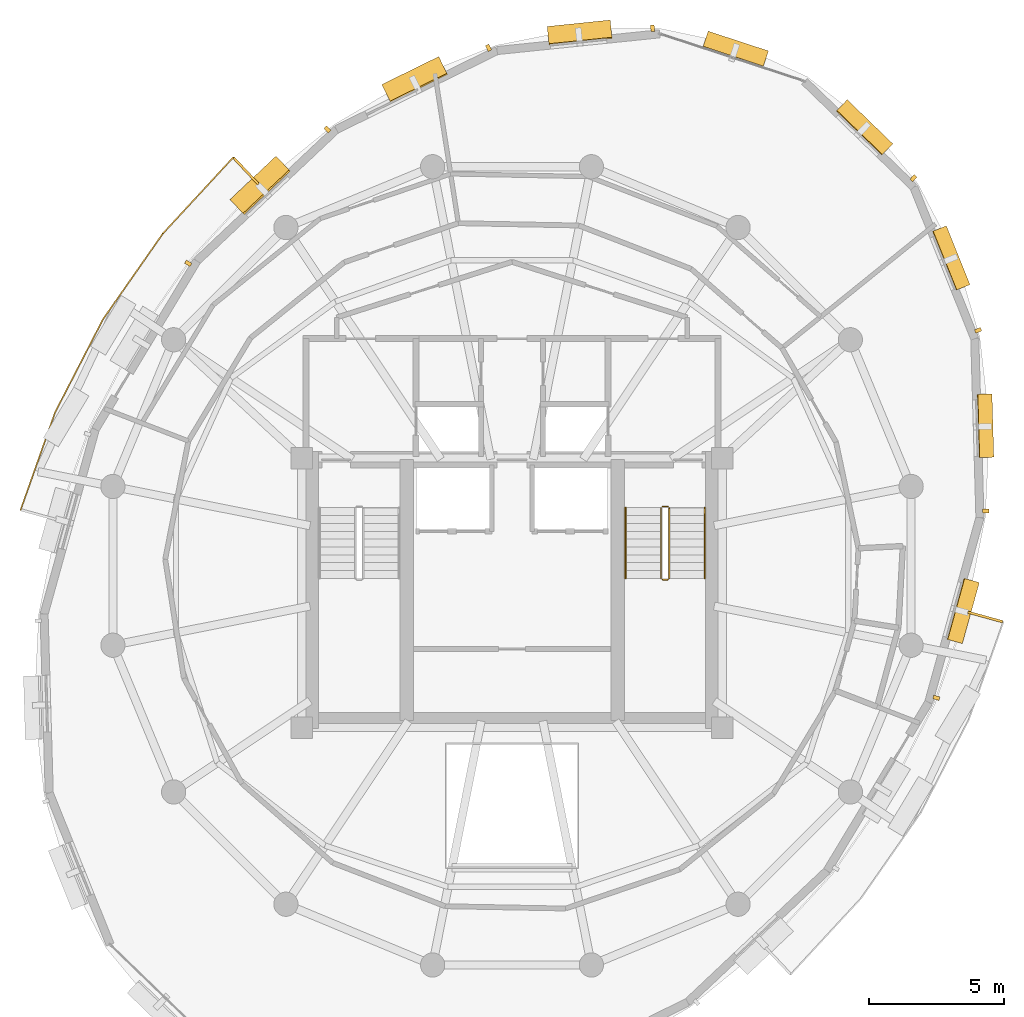
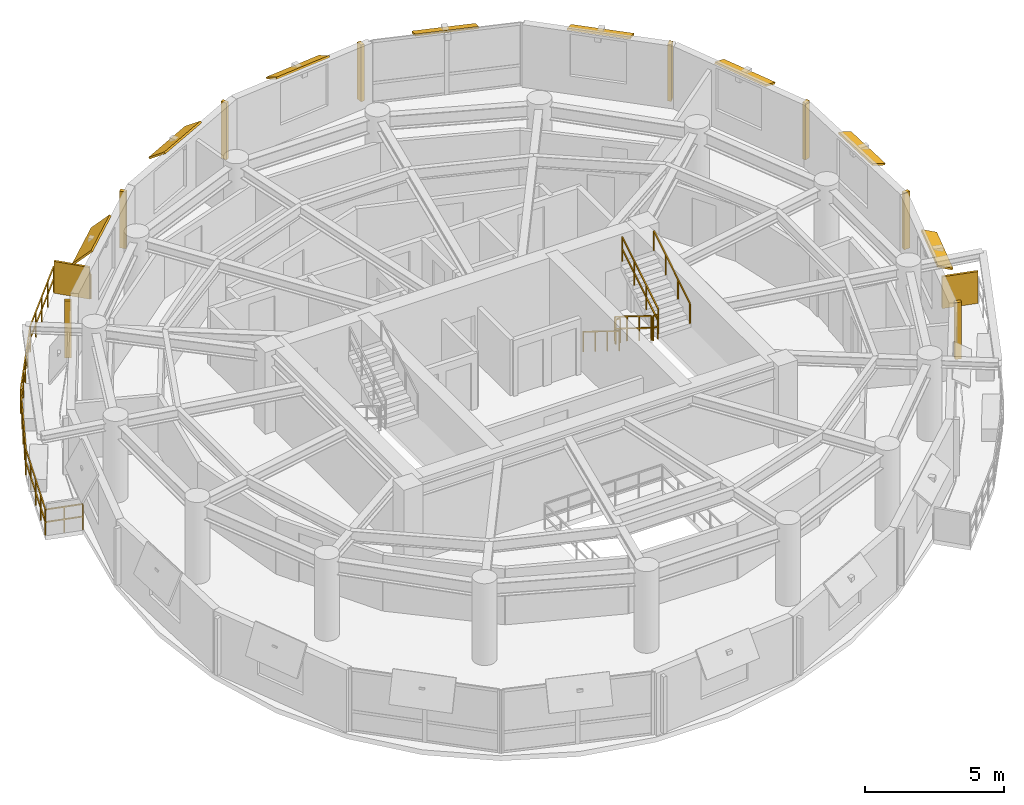
# One storey, part 11 of 11: 18 shading devices, 7 railings.
"""IFC4 building model written with IfcOpenShell, lengths in metres."""

from ifc_helpers import new_model, si_unit, direction, frame, origin, origin_2d, place, context, subcontext, project, spatial, rectangle, extrude, material, layer, layer_set, type_object, element, save


model = new_model("IFC4")

# Units and contexts
model_context = context("Model", 3, precision=1e-05, world=origin(), true_north=direction((0.0, 1.0)))
body_context = subcontext(model_context, "Body", "Model", "MODEL_VIEW")
ifc_project = project(units=[si_unit("LENGTHUNIT", "METRE"), si_unit("AREAUNIT", "SQUARE_METRE"), si_unit("VOLUMEUNIT", "CUBIC_METRE"), si_unit("PLANEANGLEUNIT", "RADIAN"), si_unit("MASSUNIT", "GRAM", prefix="KILO"), si_unit("THERMODYNAMICTEMPERATUREUNIT", "KELVIN"), si_unit("POWERUNIT", "WATT")], contexts=[model_context])

# Site, building, storey
site_placement = place(None, origin())
site = spatial("IfcSite", under=ifc_project, at=site_placement, CompositionType="ELEMENT")
building_placement = place(site_placement, origin())
building = spatial("IfcBuilding", under=site, at=building_placement, Name="Ocrelia Relay Tower", CompositionType="ELEMENT")
storey_placement = place(building_placement, frame((0.0, 0.0, 273.60009765625)))
storey = spatial("IfcBuildingStorey", under=building, at=storey_placement, Name="L68", CompositionType="ELEMENT", Elevation=273.60009765625)

# Railings
ifc_material_1 = material(Name="Steel S355 balustrade", Category="steel")
railing_type_1 = type_object("IfcRailingType", Name="RL-EXT-GUARD-1150", PredefinedType="GUARDRAIL", material=ifc_material_1)
railing_1_placement = place(storey_placement, frame((17.1103515625, 27.711181640625, 0.0)))
element("IfcRailing", 1, at=railing_1_placement, inside=storey, type_object=railing_type_1, Name="L68 Loggia Balcony Guard Rail B1", PredefinedType="GUARDRAIL", context=body_context, shape_type="SweptSolid", body=[
    extrude(rectangle(XDim=0.048095703125, YDim=0.048095703125, at=origin_2d()), frame((0.0, 0.0, 1.1259765625), z_axis=(-0.964028233206, 0.26579986001, 0.0), x_axis=(-0.26579986001, -0.964028233206, 0.0)), (0.0, 0.0, 1.0), 1.393310546875),
    extrude(rectangle(XDim=0.048095703125, YDim=0.048095703125, at=origin_2d()), frame((0.0, 0.0, 0.574951171875), z_axis=(-0.964028233206, 0.26579986001, 0.0), x_axis=(-0.26579986001, -0.964028233206, 0.0)), (0.0, 0.0, 1.0), 1.393310546875),
    extrude(rectangle(XDim=0.048095703125, YDim=0.048095703125, at=origin_2d()), frame((-1.34326171875, 0.370361328125, 1.1259765625), z_axis=(0.333032874835, 0.942915215849, 0.0), x_axis=(-0.942915215849, 0.333032874835, 0.0)), (0.0, 0.0, 1.0), 1.920654296875),
    extrude(rectangle(XDim=0.048095703125, YDim=0.048095703125, at=origin_2d()), frame((-1.34326171875, 0.370361328125, 0.574951171875), z_axis=(0.333032874835, 0.942915215849, 0.0), x_axis=(-0.942915215849, 0.333032874835, 0.0)), (0.0, 0.0, 1.0), 1.920654296875),
    extrude(rectangle(XDim=0.048095703125, YDim=0.048095703125, at=origin_2d()), frame((-0.70361328125, 2.181396484375, 1.1259765625), z_axis=(0.333145881361, 0.9428752949, 0.0), x_axis=(-0.9428752949, 0.333145881361, 0.0)), (0.0, 0.0, 1.0), 1.920654296875),
    extrude(rectangle(XDim=0.048095703125, YDim=0.048095703125, at=origin_2d()), frame((-0.70361328125, 2.181396484375, 0.574951171875), z_axis=(0.333145881361, 0.9428752949, 0.0), x_axis=(-0.9428752949, 0.333145881361, 0.0)), (0.0, 0.0, 1.0), 1.920654296875),
    extrude(rectangle(XDim=0.048095703125, YDim=0.048095703125, at=origin_2d()), frame((-0.063720703125, 3.992431640625, 1.1259765625), z_axis=(0.457923454182, 0.888991625444, 0.0), x_axis=(-0.888991625444, 0.457923454182, 0.0)), (0.0, 0.0, 1.0), 3.8818359375),
    extrude(rectangle(XDim=0.048095703125, YDim=0.048095703125, at=origin_2d()), frame((-0.063720703125, 3.992431640625, 0.574951171875), z_axis=(0.457923454182, 0.888991625444, 0.0), x_axis=(-0.888991625444, 0.457923454182, 0.0)), (0.0, 0.0, 1.0), 3.8818359375),
    extrude(rectangle(XDim=0.048095703125, YDim=0.048095703125, at=origin_2d()), frame((1.7138671875, 7.443359375, 1.1259765625), z_axis=(0.572824803957, 0.819677829377, 0.0), x_axis=(-0.819677829377, 0.572824803957, 0.0)), (0.0, 0.0, 1.0), 3.8818359375),
    extrude(rectangle(XDim=0.048095703125, YDim=0.048095703125, at=origin_2d()), frame((1.7138671875, 7.443359375, 0.574951171875), z_axis=(0.572824803957, 0.819677829377, 0.0), x_axis=(-0.819677829377, 0.572824803957, 0.0)), (0.0, 0.0, 1.0), 3.8818359375),
    extrude(rectangle(XDim=0.048095703125, YDim=0.048095703125, at=origin_2d()), frame((3.9375, 10.625244140625, 1.1259765625), z_axis=(0.678660063594, 0.734452529496, 0.0), x_axis=(-0.734452529496, 0.678660063594, 0.0)), (0.0, 0.0, 1.0), 1.9208984375),
    extrude(rectangle(XDim=0.048095703125, YDim=0.048095703125, at=origin_2d()), frame((3.9375, 10.625244140625, 0.574951171875), z_axis=(0.678660063594, 0.734452529496, 0.0), x_axis=(-0.734452529496, 0.678660063594, 0.0)), (0.0, 0.0, 1.0), 1.9208984375),
    extrude(rectangle(XDim=0.048095703125, YDim=0.048095703125, at=origin_2d()), frame((5.2412109375, 12.0361328125, 1.1259765625), z_axis=(0.678718216733, 0.734398789674, 0.0), x_axis=(-0.734398789674, 0.678718216733, 0.0)), (0.0, 0.0, 1.0), 1.92041015625),
    extrude(rectangle(XDim=0.048095703125, YDim=0.048095703125, at=origin_2d()), frame((5.2412109375, 12.0361328125, 0.574951171875), z_axis=(0.678718216733, 0.734398789674, 0.0), x_axis=(-0.734398789674, 0.678718216733, 0.0)), (0.0, 0.0, 1.0), 1.92041015625),
    extrude(rectangle(XDim=0.048095703125, YDim=0.048095703125, at=origin_2d()), frame((6.544677734375, 13.446533203125, 1.1259765625), z_axis=(0.684867220782, -0.728667887243, 0.0), x_axis=(0.728667887243, 0.684867220782, 0.0)), (0.0, 0.0, 1.0), 1.3935546875),
    extrude(rectangle(XDim=0.048095703125, YDim=0.048095703125, at=origin_2d()), frame((6.544677734375, 13.446533203125, 0.574951171875), z_axis=(0.684867220782, -0.728667887243, 0.0), x_axis=(0.728667887243, 0.684867220782, 0.0)), (0.0, 0.0, 1.0), 1.3935546875),
    extrude(rectangle(XDim=0.0419921875, YDim=0.0419921875, at=origin_2d()), origin(), (0.0, 0.0, 1.0), 1.101806640625),
    extrude(rectangle(XDim=0.0419921875, YDim=0.0419921875, at=origin_2d()), frame((-0.671630859375, 0.18505859375, 0.0)), (0.0, 0.0, 1.0), 1.101806640625),
    extrude(rectangle(XDim=0.0419921875, YDim=0.0419921875, at=origin_2d()), frame((-1.34326171875, 0.370361328125, 0.0)), (0.0, 0.0, 1.0), 1.101806640625),
    extrude(rectangle(XDim=0.0419921875, YDim=0.0419921875, at=origin_2d()), frame((-1.0234375, 1.27587890625, 0.0)), (0.0, 0.0, 1.0), 1.101806640625),
    extrude(rectangle(XDim=0.0419921875, YDim=0.0419921875, at=origin_2d()), frame((-0.70361328125, 2.181396484375, 0.0)), (0.0, 0.0, 1.0), 1.101806640625),
    extrude(rectangle(XDim=0.0419921875, YDim=0.0419921875, at=origin_2d()), frame((-0.3837890625, 3.0869140625, 0.0)), (0.0, 0.0, 1.0), 1.101806640625),
    extrude(rectangle(XDim=0.0419921875, YDim=0.0419921875, at=origin_2d()), frame((-0.063720703125, 3.992431640625, 0.0)), (0.0, 0.0, 1.0), 1.101806640625),
    extrude(rectangle(XDim=0.0419921875, YDim=0.0419921875, at=origin_2d()), frame((0.380615234375, 4.855224609375, 0.0)), (0.0, 0.0, 1.0), 1.101806640625),
    extrude(rectangle(XDim=0.0419921875, YDim=0.0419921875, at=origin_2d()), frame((0.8251953125, 5.7177734375, 0.0)), (0.0, 0.0, 1.0), 1.101806640625),
    extrude(rectangle(XDim=0.0419921875, YDim=0.0419921875, at=origin_2d()), frame((1.26953125, 6.58056640625, 0.0)), (0.0, 0.0, 1.0), 1.101806640625),
    extrude(rectangle(XDim=0.0419921875, YDim=0.0419921875, at=origin_2d()), frame((1.7138671875, 7.443359375, 0.0)), (0.0, 0.0, 1.0), 1.101806640625),
    extrude(rectangle(XDim=0.0419921875, YDim=0.0419921875, at=origin_2d()), frame((2.269775390625, 8.23876953125, 0.0)), (0.0, 0.0, 1.0), 1.101806640625),
    extrude(rectangle(XDim=0.0419921875, YDim=0.0419921875, at=origin_2d()), frame((2.82568359375, 9.0341796875, 0.0)), (0.0, 0.0, 1.0), 1.101806640625),
    extrude(rectangle(XDim=0.0419921875, YDim=0.0419921875, at=origin_2d()), frame((3.381591796875, 9.829833984375, 0.0)), (0.0, 0.0, 1.0), 1.101806640625),
    extrude(rectangle(XDim=0.0419921875, YDim=0.0419921875, at=origin_2d()), frame((3.9375, 10.625244140625, 0.0)), (0.0, 0.0, 1.0), 1.101806640625),
    extrude(rectangle(XDim=0.0419921875, YDim=0.0419921875, at=origin_2d()), frame((4.58935546875, 11.33056640625, 0.0)), (0.0, 0.0, 1.0), 1.101806640625),
    extrude(rectangle(XDim=0.0419921875, YDim=0.0419921875, at=origin_2d()), frame((5.2412109375, 12.0361328125, 0.0)), (0.0, 0.0, 1.0), 1.101806640625),
    extrude(rectangle(XDim=0.0419921875, YDim=0.0419921875, at=origin_2d()), frame((5.89306640625, 12.7412109375, 0.0)), (0.0, 0.0, 1.0), 1.101806640625),
    extrude(rectangle(XDim=0.0419921875, YDim=0.0419921875, at=origin_2d()), frame((6.544677734375, 13.446533203125, 0.0)), (0.0, 0.0, 1.0), 1.101806640625),
    extrude(rectangle(XDim=0.0419921875, YDim=0.0419921875, at=origin_2d()), frame((7.02197265625, 12.93896484375, 0.0)), (0.0, 0.0, 1.0), 1.101806640625),
    extrude(rectangle(XDim=0.0419921875, YDim=0.0419921875, at=origin_2d()), frame((7.4990234375, 12.43115234375, 0.0)), (0.0, 0.0, 1.0), 1.101806640625),
])
railing_type_2 = type_object("IfcRailingType", Name="RL-STAIR-GUARD", PredefinedType="GUARDRAIL", material=ifc_material_1)
railing_2_placement = place(storey_placement, frame((39.530029296875, 28.14990234375, 0.179931640625)))
element("IfcRailing", 2, at=railing_2_placement, inside=storey, type_object=railing_type_2, Name="L68 ST2 stair guard 1", PredefinedType="GUARDRAIL", context=body_context, shape_type="SweptSolid", body=[
    extrude(rectangle(XDim=0.048095703125, YDim=0.048095703125, at=origin_2d()), frame((0.0, 0.0, 1.076171875), z_axis=(0.0, -0.849646306263, 0.527352969322), x_axis=(1.0, 0.0, 0.0)), (0.0, 0.0, 1.0), 3.07177734375),
    extrude(rectangle(XDim=0.048095703125, YDim=0.048095703125, at=origin_2d()), frame((0.0, 0.0, 0.550048828125), z_axis=(0.0, -0.849646306263, 0.527352969322), x_axis=(1.0, 0.0, 0.0)), (0.0, 0.0, 1.0), 3.07177734375),
    extrude(rectangle(XDim=0.0419921875, YDim=0.0419921875, at=origin_2d()), origin(), (0.0, 0.0, 1.0), 1.052001953125),
    extrude(rectangle(XDim=0.0419921875, YDim=0.0419921875, at=origin_2d()), frame((0.0, -0.869873046875, 0.5400390625)), (0.0, 0.0, 1.0), 1.052001953125),
    extrude(rectangle(XDim=0.0419921875, YDim=0.0419921875, at=origin_2d()), frame((0.0, -1.739990234375, 1.079833984375)), (0.0, 0.0, 1.0), 1.052001953125),
    extrude(rectangle(XDim=0.0419921875, YDim=0.0419921875, at=origin_2d()), frame((0.0, -2.60986328125, 1.619873046875)), (0.0, 0.0, 1.0), 1.052001953125),
])
railing_3_placement = place(storey_placement, frame((39.580078125, 25.489990234375, 1.7998046875)))
element("IfcRailing", 3, at=railing_3_placement, inside=storey, type_object=railing_type_2, Name="L68 ST2 stair guard 2", PredefinedType="GUARDRAIL", context=body_context, shape_type="SweptSolid", body=[
    extrude(rectangle(XDim=0.048095703125, YDim=0.048095703125, at=origin_2d()), frame((0.0, 0.0, 1.076171875), z_axis=(1.0, 0.0, 0.0), x_axis=(0.0, 1.0, 0.0)), (0.0, 0.0, 1.0), 0.199951171875),
    extrude(rectangle(XDim=0.048095703125, YDim=0.048095703125, at=origin_2d()), frame((0.0, 0.0, 0.550048828125), z_axis=(1.0, 0.0, 0.0), x_axis=(0.0, 1.0, 0.0)), (0.0, 0.0, 1.0), 0.199951171875),
    extrude(rectangle(XDim=0.0419921875, YDim=0.0419921875, at=origin_2d()), origin(), (0.0, 0.0, 1.0), 1.052001953125),
    extrude(rectangle(XDim=0.0419921875, YDim=0.0419921875, at=origin_2d()), frame((0.199951171875, 0.0, 0.0)), (0.0, 0.0, 1.0), 1.052001953125),
])
railing_4_placement = place(storey_placement, frame((39.830078125, 25.5400390625, 1.97998046875)))
element("IfcRailing", 4, at=railing_4_placement, inside=storey, type_object=railing_type_2, Name="L68 ST2 stair guard 3", PredefinedType="GUARDRAIL", context=body_context, shape_type="SweptSolid", body=[
    extrude(rectangle(XDim=0.048095703125, YDim=0.048095703125, at=origin_2d()), frame((0.0, 0.0, 1.076171875), z_axis=(0.0, 0.849646306263, 0.527352969322), x_axis=(-1.0, 0.0, 0.0)), (0.0, 0.0, 1.0), 3.07177734375),
    extrude(rectangle(XDim=0.048095703125, YDim=0.048095703125, at=origin_2d()), frame((0.0, 0.0, 0.550048828125), z_axis=(0.0, 0.849646306263, 0.527352969322), x_axis=(-1.0, 0.0, 0.0)), (0.0, 0.0, 1.0), 3.07177734375),
    extrude(rectangle(XDim=0.0419921875, YDim=0.0419921875, at=origin_2d()), origin(), (0.0, 0.0, 1.0), 1.052001953125),
    extrude(rectangle(XDim=0.0419921875, YDim=0.0419921875, at=origin_2d()), frame((0.0, 0.869873046875, 0.5400390625)), (0.0, 0.0, 1.0), 1.052001953125),
    extrude(rectangle(XDim=0.0419921875, YDim=0.0419921875, at=origin_2d()), frame((0.0, 1.739990234375, 1.079833984375)), (0.0, 0.0, 1.0), 1.052001953125),
    extrude(rectangle(XDim=0.0419921875, YDim=0.0419921875, at=origin_2d()), frame((0.0, 2.60986328125, 1.619873046875)), (0.0, 0.0, 1.0), 1.052001953125),
])
railing_5_placement = place(storey_placement, frame((39.580078125, 28.199951171875, 0.0)))
element("IfcRailing", 5, at=railing_5_placement, inside=storey, type_object=railing_type_2, Name="L68 ST2 stair guard 4", PredefinedType="GUARDRAIL", context=body_context, shape_type="SweptSolid", body=[
    extrude(rectangle(XDim=0.048095703125, YDim=0.048095703125, at=origin_2d()), frame((0.0, 0.0, 1.076171875), z_axis=(1.0, 0.0, 0.0), x_axis=(0.0, 1.0, 0.0)), (0.0, 0.0, 1.0), 0.199951171875),
    extrude(rectangle(XDim=0.048095703125, YDim=0.048095703125, at=origin_2d()), frame((0.0, 0.0, 0.550048828125), z_axis=(1.0, 0.0, 0.0), x_axis=(0.0, 1.0, 0.0)), (0.0, 0.0, 1.0), 0.199951171875),
    extrude(rectangle(XDim=0.0419921875, YDim=0.0419921875, at=origin_2d()), origin(), (0.0, 0.0, 1.0), 1.052001953125),
    extrude(rectangle(XDim=0.0419921875, YDim=0.0419921875, at=origin_2d()), frame((0.199951171875, 0.0, 0.0)), (0.0, 0.0, 1.0), 1.052001953125),
])
ifc_material_2 = material(Name="Steel S355 tubular handrail", Category="steel")
railing_type_3 = type_object("IfcRailingType", Name="RL-STAIR-HAND", PredefinedType="HANDRAIL", material=ifc_material_2)
railing_6_placement = place(storey_placement, frame((38.2099609375, 28.14990234375, 0.179931640625)))
element("IfcRailing", 6, at=railing_6_placement, inside=storey, type_object=railing_type_3, Name="L68 ST2 stair handrail 1", PredefinedType="HANDRAIL", context=body_context, shape_type="SweptSolid", body=[
    extrude(rectangle(XDim=0.048095703125, YDim=0.048095703125, at=origin_2d()), frame((0.0, 0.0, 0.8759765625), z_axis=(0.0, -0.849646306263, 0.527352969322), x_axis=(1.0, 0.0, 0.0)), (0.0, 0.0, 1.0), 3.07177734375),
    extrude(rectangle(XDim=0.0419921875, YDim=0.0419921875, at=origin_2d()), origin(), (0.0, 0.0, 1.0), 0.851806640625),
    extrude(rectangle(XDim=0.0419921875, YDim=0.0419921875, at=origin_2d()), frame((0.0, -0.869873046875, 0.5400390625)), (0.0, 0.0, 1.0), 0.851806640625),
    extrude(rectangle(XDim=0.0419921875, YDim=0.0419921875, at=origin_2d()), frame((0.0, -1.739990234375, 1.079833984375)), (0.0, 0.0, 1.0), 0.851806640625),
    extrude(rectangle(XDim=0.0419921875, YDim=0.0419921875, at=origin_2d()), frame((0.0, -2.60986328125, 1.619873046875)), (0.0, 0.0, 1.0), 0.851806640625),
])
railing_7_placement = place(storey_placement, frame((41.14990234375, 25.5400390625, 1.97998046875)))
element("IfcRailing", 7, at=railing_7_placement, inside=storey, type_object=railing_type_3, Name="L68 ST2 stair handrail 2", PredefinedType="HANDRAIL", context=body_context, shape_type="SweptSolid", body=[
    extrude(rectangle(XDim=0.048095703125, YDim=0.048095703125, at=origin_2d()), frame((0.0, 0.0, 0.8759765625), z_axis=(0.0, 0.849646306263, 0.527352969322), x_axis=(-1.0, 0.0, 0.0)), (0.0, 0.0, 1.0), 3.07177734375),
    extrude(rectangle(XDim=0.0419921875, YDim=0.0419921875, at=origin_2d()), origin(), (0.0, 0.0, 1.0), 0.851806640625),
    extrude(rectangle(XDim=0.0419921875, YDim=0.0419921875, at=origin_2d()), frame((0.0, 0.869873046875, 0.5400390625)), (0.0, 0.0, 1.0), 0.851806640625),
    extrude(rectangle(XDim=0.0419921875, YDim=0.0419921875, at=origin_2d()), frame((0.0, 1.739990234375, 1.079833984375)), (0.0, 0.0, 1.0), 0.851806640625),
    extrude(rectangle(XDim=0.0419921875, YDim=0.0419921875, at=origin_2d()), frame((0.0, 2.60986328125, 1.619873046875)), (0.0, 0.0, 1.0), 0.851806640625),
])

# Shading devices
ifc_material_3 = material(Name="Perforated oxide terracotta solar screen", Category="masonry")
ifc_layer_1 = layer(ifc_material_3, 0.090087890625, Name="Perforated oxide terracotta solar screen")
ifc_layer_set_1 = layer_set([ifc_layer_1], Name="Perforated oxide terracotta solar screen")
shading_device_type_1 = type_object("IfcShadingDeviceType", Name="SH-BALC-SCREEN", PredefinedType="USERDEFINED", material=ifc_layer_set_1)
for number, where, z_axis, x_axis, name in (
    (8, (24.132080078125, 40.650146484375, 0.0), (0.0, 0.0, 1.0), (-0.684769028858, 0.728760164332, 0.0), "L68 Balcony Perforated Terracotta Screen B1-1"),
    (9, (51.561279296875, 24.103759765625, 0.0), (0.0, 0.0, 1.0), (0.964004670381, -0.265885305131, 0.0), "L68 Balcony Perforated Terracotta Screen B2-2"),
):
    element("IfcShadingDevice", number, at=place(storey_placement, frame(where, z_axis=z_axis, x_axis=x_axis)), inside=storey, type_object=shading_device_type_1, Name=name, ObjectType="SCREEN", PredefinedType="USERDEFINED", context=body_context, shape_type="SweptSolid", body=[
        extrude(rectangle(XDim=1.340087890625, YDim=0.090087890625, at=origin_2d()), origin(), (0.0, 0.0, 1.0), 1.39990234375),
    ])
ifc_material_4 = material(Name="Extruded oxide terracotta vertical baguette", Category="masonry")
shading_device_type_2 = type_object("IfcShadingDeviceType", Name="SH-TERR-BAGUETTE", PredefinedType="USERDEFINED", material=ifc_material_4)
for number, where, z_axis, x_axis, name in (
    (10, (39.2158203125, 45.94580078125, 0.1298828125), (0.0, 0.0, 1.0), (-0.994735487281, -0.102475901283, 0.0), "L68 Oxide Terracotta Vertical Baguette 02"),
    (11, (33.131103515625, 45.220947265625, 0.1298828125), (0.0, 0.0, 1.0), (-0.897663929451, -0.44068068912, 0.0), "L68 Oxide Terracotta Vertical Baguette 03"),
    (12, (27.15234375, 42.195556640625, 0.1298828125), (0.0, 0.0, 1.0), (-0.727676186055, -0.685920817768, 0.0), "L68 Oxide Terracotta Vertical Baguette 04"),
    (13, (21.986083984375, 37.2255859375, 0.1298828125), (0.0, 0.0, 1.0), (-0.516536895156, -0.856264933267, 0.0), "L68 Oxide Terracotta Vertical Baguette 05"),
    (14, (49.745849609375, 21.102294921875, 0.1298828125), (0.0, 0.0, 1.0), (0.267369853648, 0.963593981592, 0.0), "L68 Oxide Terracotta Vertical Baguette 15"),
    (15, (51.58544921875, 28.035400390625, 0.1298828125), (0.0, 0.0, 1.0), (-0.028856720691, 0.999583558124, 0.0), "L68 Oxide Terracotta Vertical Baguette 16"),
    (16, (51.294677734375, 34.73779296875, 0.1298828125), (0.0, 0.0, 1.0), (-0.373269965577, 0.927722767209, 0.0), "L68 Oxide Terracotta Vertical Baguette 17"),
    (17, (48.8955078125, 40.385009765625, 0.1298828125), (0.0, 0.0, 1.0), (-0.718708551146, 0.695311454321, 0.0), "L68 Oxide Terracotta Vertical Baguette 18"),
):
    element("IfcShadingDevice", number, at=place(storey_placement, frame(where, z_axis=z_axis, x_axis=x_axis)), inside=storey, type_object=shading_device_type_2, Name=name, ObjectType="BAGUETTE", PredefinedType="USERDEFINED", context=body_context, shape_type="SweptSolid", body=[
        extrude(rectangle(XDim=0.139892578125, YDim=0.239990234375, at=origin_2d()), origin(), (0.0, 0.0, 1.0), 2.5),
    ])
ifc_material_5 = material(Name="Extruded oxide terracotta fin", Category="masonry")
ifc_layer_2 = layer(ifc_material_5, 0.080078125, Name="Extruded oxide terracotta fin")
ifc_layer_set_2 = layer_set([ifc_layer_2], Name="Extruded oxide terracotta fin")
shading_device_type_3 = type_object("IfcShadingDeviceType", Name="SH-VISOR-FIN-MED", PredefinedType="USERDEFINED", material=ifc_layer_set_2)
shading_device_1_placement = place(storey_placement, frame((30.3984375, 44.02685546875, 2.567626953125), z_axis=(-0.261012732896, 0.531681376635, 0.805721581569), x_axis=(-0.897663929451, -0.44068068912, 0.0)))
element("IfcShadingDevice", 18, at=shading_device_1_placement, inside=storey, type_object=shading_device_type_3, Name="L68 Canted Terracotta Sun-Visor Fin 03", ObjectType="FIN", PredefinedType="USERDEFINED", context=body_context, shape_type="SweptSolid", body=[
    extrude(rectangle(XDim=2.35009765625, YDim=0.85498046875, at=origin_2d()), origin(), (0.0, 0.0, 1.0), 0.080078125),
])
shading_device_2_placement = place(storey_placement, frame((24.671142578125, 40.100830078125, 2.57177734375), z_axis=(-0.489652694468, 0.519460258345, 0.700286569056), x_axis=(-0.727676186055, -0.685920817768, 0.0)))
element("IfcShadingDevice", 19, at=shading_device_2_placement, inside=storey, type_object=shading_device_type_3, Name="L68 Canted Terracotta Sun-Visor Fin 04", ObjectType="FIN", PredefinedType="USERDEFINED", context=body_context, shape_type="SweptSolid", body=[
    extrude(rectangle(XDim=2.35009765625, YDim=1.009033203125, at=origin_2d()), origin(), (0.0, 0.0, 1.0), 0.080078125),
])
ifc_layer_3 = layer(ifc_material_5, 0.080078125, Name="Extruded oxide terracotta fin")
ifc_layer_set_3 = layer_set([ifc_layer_3], Name="Extruded oxide terracotta fin")
shading_device_type_4 = type_object("IfcShadingDeviceType", Name="SH-VISOR-FIN-SHAL", PredefinedType="USERDEFINED", material=ifc_layer_set_3)
shading_device_3_placement = place(storey_placement, frame((42.29345703125, 45.16015625, 2.563232421875), z_axis=(0.126935262939, 0.387261102213, 0.913190165155), x_axis=(-0.950255391519, 0.311471813957, 0.0)))
element("IfcShadingDevice", 20, at=shading_device_3_placement, inside=storey, type_object=shading_device_type_4, Name="L68 Canted Terracotta Sun-Visor Fin 01", ObjectType="FIN", PredefinedType="USERDEFINED", context=body_context, shape_type="SweptSolid", body=[
    extrude(rectangle(XDim=2.35009765625, YDim=0.65087890625, at=origin_2d()), origin(), (0.0, 0.0, 1.0), 0.080078125),
])
shading_device_4_placement = place(storey_placement, frame((36.510986328125, 45.77490234375, 2.56494140625), z_axis=(-0.04999385827, 0.485291315758, 0.87292207727), x_axis=(-0.994735487281, -0.102475901283, 0.0)))
element("IfcShadingDevice", 21, at=shading_device_4_placement, inside=storey, type_object=shading_device_type_4, Name="L68 Canted Terracotta Sun-Visor Fin 02", ObjectType="FIN", PredefinedType="USERDEFINED", context=body_context, shape_type="SweptSolid", body=[
    extrude(rectangle(XDim=2.35009765625, YDim=0.737060546875, at=origin_2d()), origin(), (0.0, 0.0, 1.0), 0.080078125),
])
shading_device_5_placement = place(storey_placement, frame((50.72509765625, 24.331787109375, 2.5625), z_axis=(0.350966652097, -0.097383238375, 0.931310320999), x_axis=(0.267369853648, 0.963593981592, 0.0)))
element("IfcShadingDevice", 22, at=shading_device_5_placement, inside=storey, type_object=shading_device_type_4, Name="L68 Canted Terracotta Sun-Visor Fin 15", ObjectType="FIN", PredefinedType="USERDEFINED", context=body_context, shape_type="SweptSolid", body=[
    extrude(rectangle(XDim=2.35009765625, YDim=0.60595703125, at=origin_2d()), origin(), (0.0, 0.0, 1.0), 0.080078125),
])
shading_device_6_placement = place(storey_placement, frame((51.556396484375, 31.1982421875, 2.561767578125), z_axis=(0.313199071932, 0.009041663467, 0.949644454342), x_axis=(-0.028856720691, 0.999583558124, 0.0)))
element("IfcShadingDevice", 23, at=shading_device_6_placement, inside=storey, type_object=shading_device_type_4, Name="L68 Canted Terracotta Sun-Visor Fin 16", ObjectType="FIN", PredefinedType="USERDEFINED", context=body_context, shape_type="SweptSolid", body=[
    extrude(rectangle(XDim=2.35009765625, YDim=0.553955078125, at=origin_2d()), origin(), (0.0, 0.0, 1.0), 0.080078125),
])
shading_device_7_placement = place(storey_placement, frame((50.286376953125, 37.41748046875, 2.561767578125), z_axis=(0.292373837106, 0.117636837178, 0.949041155016), x_axis=(-0.373269965577, 0.927722767209, 0.0)))
element("IfcShadingDevice", 24, at=shading_device_7_placement, inside=storey, type_object=shading_device_type_4, Name="L68 Canted Terracotta Sun-Visor Fin 17", ObjectType="FIN", PredefinedType="USERDEFINED", context=body_context, shape_type="SweptSolid", body=[
    extrude(rectangle(XDim=2.35009765625, YDim=0.555908203125, at=origin_2d()), origin(), (0.0, 0.0, 1.0), 0.080078125),
])
shading_device_8_placement = place(storey_placement, frame((47.07177734375, 42.260986328125, 2.562255859375), z_axis=(0.243162161378, 0.251344521382, 0.936855428999), x_axis=(-0.718708551146, 0.695311454321, 0.0)))
element("IfcShadingDevice", 25, at=shading_device_8_placement, inside=storey, type_object=shading_device_type_4, Name="L68 Canted Terracotta Sun-Visor Fin 18", ObjectType="FIN", PredefinedType="USERDEFINED", context=body_context, shape_type="SweptSolid", body=[
    extrude(rectangle(XDim=2.35009765625, YDim=0.591064453125, at=origin_2d()), origin(), (0.0, 0.0, 1.0), 0.080078125),
])

save(model, "model.ifc")
